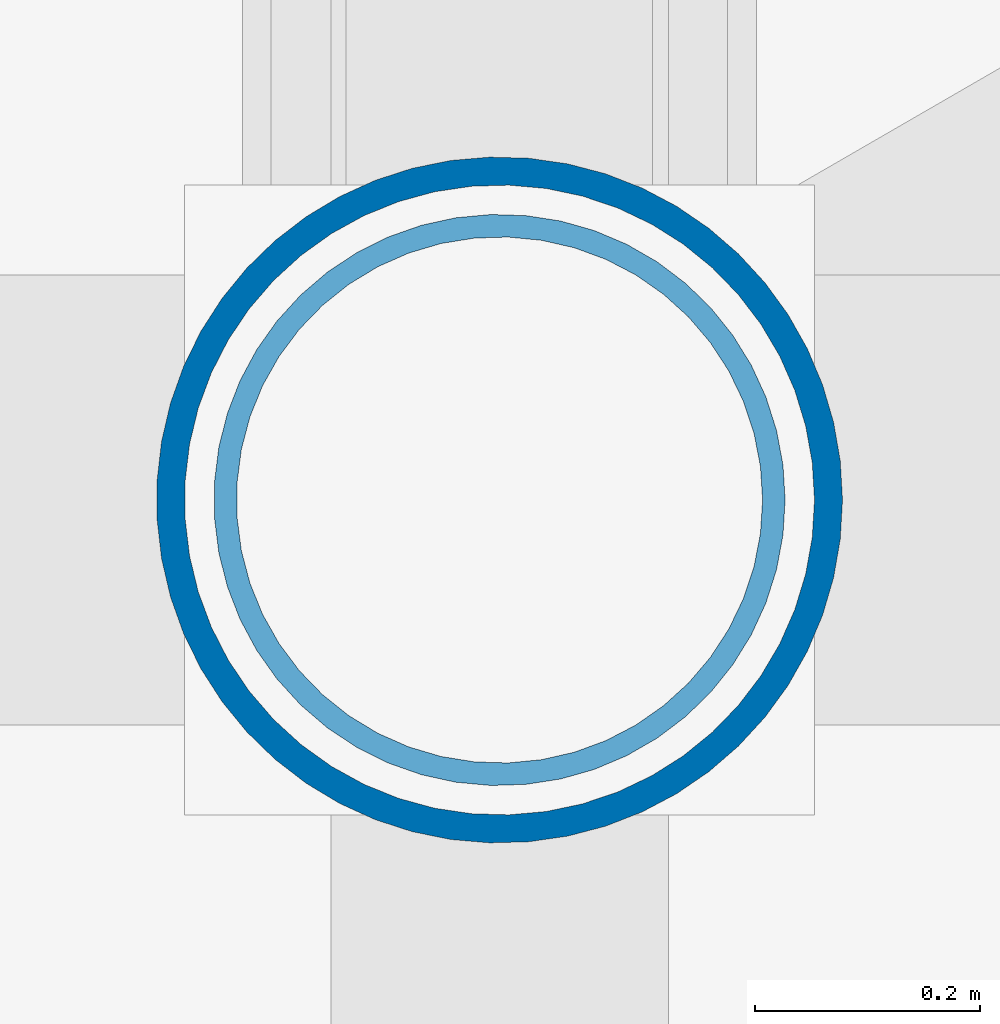
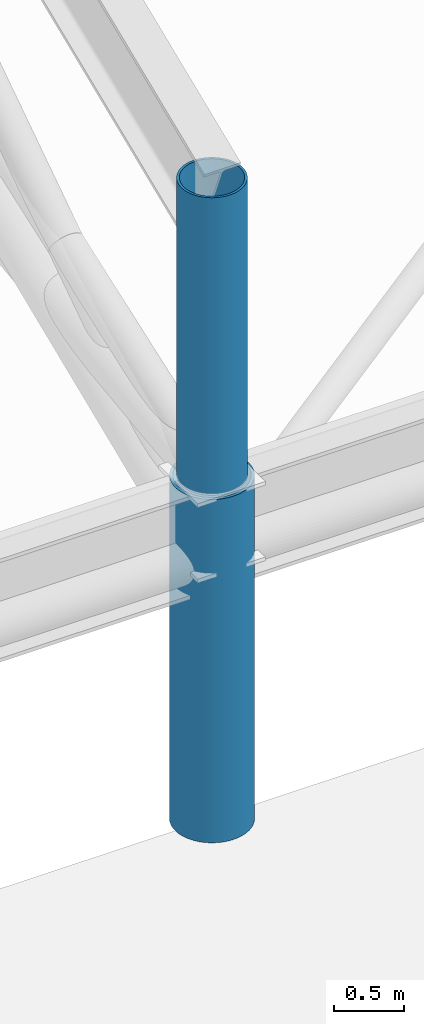
# One storey, part 2 of 135: 2 columns.
"""IFC4 building model written with IfcOpenShell, lengths in metres."""

import ifcopenshell
import ifcopenshell.guid

model = None  # the IFC model being written
_history = None  # IfcOwnerHistory: only IFC2X3 demands one
_inside = {}  # id of a spatial element -> (the spatial element, [elements in it])
_under = {}  # id of a project, library or spatial element -> (it, [spatial elements below it])
_declared = {}  # id of a project -> (the project, [libraries it declares])
_typed = {}  # id of a type object -> (the type object, [elements of that type])
_made_of = {}  # id of a material, layer set ... -> (it, [elements and type objects made of it])


def new_model(schema):
    """Start an empty IFC model of exactly this schema.

    Asked for "IFC4X3", IfcOpenShell would pick the latest addendum, in which some entities
    have other attributes; the version numbers below select the first issue.
    IFC2X3 requires an IfcOwnerHistory on every rooted entity: one is made here for all.
    """
    global model, _history
    if schema == "IFC4X3":
        model = ifcopenshell.file(schema_version=(4, 3, 0, 0))
    else:
        model = ifcopenshell.file(schema=schema)
    _inside.clear()
    _under.clear()
    _declared.clear()
    _typed.clear()
    _made_of.clear()
    _history = None
    if model.schema == "IFC2X3":
        org = make("IfcOrganization", Name="unknown")
        user = make(
            "IfcPersonAndOrganization",
            ThePerson=make("IfcPerson", FamilyName="unknown"),
            TheOrganization=org,
        )
        app = make(
            "IfcApplication",
            ApplicationDeveloper=org,
            Version="unknown",
            ApplicationFullName="unknown",
            ApplicationIdentifier="unknown",
        )
        _history = make(
            "IfcOwnerHistory",
            OwningUser=user,
            OwningApplication=app,
            ChangeAction="ADDED",
            CreationDate=0,
        )
    return model


def make(cls, **values):
    """One entity of the class cls with the attributes given. An attribute that is None is left unset."""
    return model.create_entity(
        cls, **{name: value for name, value in values.items() if value is not None}
    )


def rooted(cls, **values):
    """An entity with a GlobalId (a new one), such as an element, a storey or a relation."""
    return make(cls, GlobalId=ifcopenshell.guid.new(), OwnerHistory=_history, **values)


def si_unit(unit_type, name, prefix=None):
    """IfcSIUnit, for example si_unit("LENGTHUNIT", "METRE", prefix="MILLI")."""
    return make("IfcSIUnit", UnitType=unit_type, Prefix=prefix, Name=name)


def assignment(units):
    """IfcUnitAssignment: the units of a project."""
    return None if units is None else make("IfcUnitAssignment", Units=units)


def point(xyz):
    """IfcCartesianPoint."""
    return None if xyz is None else make("IfcCartesianPoint", Coordinates=xyz)


def direction(xyz):
    """IfcDirection."""
    return None if xyz is None else make("IfcDirection", DirectionRatios=xyz)


def frame(location, z_axis=None, x_axis=None):
    """IfcAxis2Placement3D, a coordinate frame: its origin and axes. An axis left out is left unset."""
    return make(
        "IfcAxis2Placement3D",
        Location=point(location),
        Axis=direction(z_axis),
        RefDirection=direction(x_axis),
    )


def frame_2d(location, x_axis=None):
    """IfcAxis2Placement2D, a coordinate frame in the plane: its origin and x axis."""
    return make(
        "IfcAxis2Placement2D", Location=point(location), RefDirection=direction(x_axis)
    )


def origin():
    """The frame at (0, 0, 0) with its axes left unset."""
    return frame((0.0, 0.0, 0.0))


def origin_2d():
    """The frame at (0, 0) in the plane with its x axis left unset."""
    return frame_2d((0.0, 0.0))


def place(relative_to, where):
    """IfcLocalPlacement: puts the frame where relative to a parent placement (None: the world)."""
    return make(
        "IfcLocalPlacement", PlacementRelTo=relative_to, RelativePlacement=where
    )


def context(
    kind, dimensions, precision=None, world=None, true_north=None, identifier=None
):
    """IfcGeometricRepresentationContext, for example the 3D "Model" context."""
    return make(
        "IfcGeometricRepresentationContext",
        ContextIdentifier=identifier,
        ContextType=kind,
        CoordinateSpaceDimension=dimensions,
        Precision=precision,
        WorldCoordinateSystem=world,
        TrueNorth=true_north,
    )


def subcontext(parent, identifier, kind, view, scale=None):
    """IfcGeometricRepresentationSubContext, for example "Body" below "Model"."""
    return make(
        "IfcGeometricRepresentationSubContext",
        ContextIdentifier=identifier,
        ContextType=kind,
        ParentContext=parent,
        TargetScale=scale,
        TargetView=view,
    )


def project(units=None, contexts=None):
    """IfcProject with its units and contexts."""
    return rooted(
        "IfcProject",
        Name="project",
        RepresentationContexts=contexts,
        UnitsInContext=assignment(units),
    )


def spatial(cls, under=None, at=None, **own):
    """A site, building, storey or space (cls), placed at a placement, below another one or the project."""
    s = rooted(cls, ObjectPlacement=at, **own)
    if under is not None:
        _under.setdefault(under.id(), (under, []))[1].append(s)
    return s


def profile(cls, at=None, kind="AREA", **sizes):
    """A parametric profile (cls). Its sizes go by their IFC names, for example OverallWidth=200.0."""
    return make(cls, ProfileType=kind, Position=at, **sizes)


def hollow_circle(**sizes):
    """IfcCircleHollowProfileDef."""
    return profile("IfcCircleHollowProfileDef", **sizes)


def extrude(swept, where, along, depth):
    """IfcExtrudedAreaSolid: the profile swept, set in the frame where, extruded along a direction by depth."""
    return make(
        "IfcExtrudedAreaSolid",
        SweptArea=swept,
        Position=where,
        ExtrudedDirection=direction(along),
        Depth=depth,
    )


def shape(context_of_items, identifier, shape_type, items):
    """IfcShapeRepresentation: the items that make up one representation, for example the "Body"."""
    return make(
        "IfcShapeRepresentation",
        ContextOfItems=context_of_items,
        RepresentationIdentifier=identifier,
        RepresentationType=shape_type,
        Items=items,
    )


def material(Name=None, Category=None):
    """IfcMaterial."""
    return make("IfcMaterial", Name=Name, Category=Category)


def material_profile(
    of_material, cross_section, Name=None, Category=None, Priority=None
):
    """IfcMaterialProfile: a cross section and its material."""
    return make(
        "IfcMaterialProfile",
        Name=Name,
        Material=of_material,
        Profile=cross_section,
        Priority=Priority,
        Category=Category,
    )


def profile_set(profiles, Name=None, composite=None):
    """IfcMaterialProfileSet."""
    return make(
        "IfcMaterialProfileSet",
        Name=Name,
        MaterialProfiles=profiles,
        CompositeProfile=composite,
    )


def made_of(thing, what):
    """Note that an element or type object is made of a material, layer set ...; save() writes the relation."""
    if what is not None:
        _made_of.setdefault(what.id(), (what, []))[1].append(thing)
    return thing


def type_object(cls, material=None, **own):
    """A type object (cls), such as IfcWallType, which elements share."""
    return made_of(rooted(cls, **own), material)


def element(
    cls,
    number,
    at=None,
    inside=None,
    cuts=None,
    type_object=None,
    material=None,
    context=None,
    identifier="Body",
    shape_type=None,
    held_by="IfcProductDefinitionShape",
    body=None,
    shapes=None,
    **own,
):
    """One element of the class cls, such as IfcWall. Its Tag is "e" and its number.

    at: its placement. inside: the storey or other place that contains it. cuts: it is an
    opening in that element (IfcRelVoidsElement). A single representation is given by context,
    identifier, shape_type and body (its items); several are given by shapes. held_by: the class
    of the entity that holds the representations. save() writes the other relations.
    """
    e = rooted(cls, Tag="e%d" % number, ObjectPlacement=at, **own)
    if body is not None:
        shapes = [shape(context, identifier, shape_type, body)]
    if shapes is not None:
        e.Representation = make(held_by, Representations=shapes)
    if inside is not None:
        _inside.setdefault(inside.id(), (inside, []))[1].append(e)
    if cuts is not None:
        rooted(
            "IfcRelVoidsElement", RelatingBuildingElement=cuts, RelatedOpeningElement=e
        )
    if type_object is not None:
        _typed.setdefault(type_object.id(), (type_object, []))[1].append(e)
    return made_of(e, material)


def aggregate(whole, parts):
    """IfcRelAggregates: a whole, such as a stair, and the parts it consists of."""
    return rooted("IfcRelAggregates", RelatingObject=whole, RelatedObjects=parts)


def save(model, path):
    """Write the relations noted so far, then the file.

    IfcRelAggregates (storeys below a building ...), IfcRelContainedInSpatialStructure (elements
    in a storey), IfcRelDefinesByType, IfcRelAssociatesMaterial and IfcRelDeclares: one each for
    every whole, place, type object, material and project.
    """
    for whole, parts in _under.values():
        aggregate(whole, parts)
    for where, things in _inside.values():
        rooted(
            "IfcRelContainedInSpatialStructure",
            RelatedElements=things,
            RelatingStructure=where,
        )
    for kind, things in _typed.values():
        rooted("IfcRelDefinesByType", RelatedObjects=things, RelatingType=kind)
    for what, things in _made_of.values():
        rooted("IfcRelAssociatesMaterial", RelatedObjects=things, RelatingMaterial=what)
    for by, libraries in _declared.values():
        rooted("IfcRelDeclares", RelatingContext=by, RelatedDefinitions=libraries)
    model.write(path)


model = new_model("IFC4")

# Units and contexts
model_context = context("Model", 3, precision=1e-05, world=origin(), true_north=direction((0.0, 1.0)))
body_context = subcontext(model_context, "Body", "Model", "MODEL_VIEW")
ifc_project = project(units=[si_unit("LENGTHUNIT", "METRE"), si_unit("AREAUNIT", "SQUARE_METRE"), si_unit("VOLUMEUNIT", "CUBIC_METRE"), si_unit("PLANEANGLEUNIT", "RADIAN"), si_unit("MASSUNIT", "GRAM", prefix="KILO")], contexts=[model_context])

# Site, building, storey
site_placement = place(None, origin())
site = spatial("IfcSite", under=ifc_project, at=site_placement, CompositionType="ELEMENT")
building_placement = place(site_placement, origin())
building = spatial("IfcBuilding", under=site, at=building_placement, Name="Brelvane Convention Centre", CompositionType="ELEMENT")
storey_placement = place(building_placement, frame((0.0, 0.0, 15.0)))
storey = spatial("IfcBuildingStorey", under=building, at=storey_placement, Name="L03", CompositionType="ELEMENT", Elevation=15.0)

# Columns
ifc_material_1 = material(Name="Steel E450 (450 MPa)", Category="steel")
ifc_material_profile_1 = material_profile(ifc_material_1, hollow_circle(Radius=0.304931640625, WallThickness=0.02490234375, at=origin_2d()), Name="CHS 610.0x25.0")
ifc_profile_set_1 = profile_set([ifc_material_profile_1], Name="Steel E450 (450 MPa)")
column_type_1 = type_object("IfcColumnType", Name="Steel Column C-ST1 (CHS 610.0x25.0)", PredefinedType="COLUMN", material=ifc_profile_set_1)
column_1_placement = place(storey_placement, frame((61.199951171875, 28.800048828125, 0.0), z_axis=(0.0, 0.0, 1.0), x_axis=(1.0, 0.0, 0.0)))
element("IfcColumn", 1, at=column_1_placement, inside=storey, type_object=column_type_1, Name="Column 7-D (L03)", PredefinedType="COLUMN", context=body_context, shape_type="SweptSolid", body=[
    extrude(hollow_circle(Radius=0.304931640625, WallThickness=0.02490234375, at=origin_2d()), origin(), (0.0, 0.0, 1.0), 3.0),
])
ifc_material_2 = material(Name="Steel E450 (450 MPa)", Category="steel")
ifc_material_profile_2 = material_profile(ifc_material_2, hollow_circle(Radius=0.25390625, WallThickness=0.02001953125, at=origin_2d()), Name="CHS 508.0x20.0")
ifc_profile_set_2 = profile_set([ifc_material_profile_2], Name="Steel E450 (450 MPa)")
column_type_2 = type_object("IfcColumnType", Name="Steel Column C-ST2 (CHS 508.0x20.0)", PredefinedType="COLUMN", material=ifc_profile_set_2)
column_2_placement = place(storey_placement, frame((61.199951171875, 28.800048828125, 3.0), z_axis=(0.0, 0.0, 1.0), x_axis=(1.0, 0.0, 0.0)))
element("IfcColumn", 2, at=column_2_placement, inside=storey, type_object=column_type_2, Name="EXO_EXH Exoskeletal Eaves Mast 4-S", PredefinedType="COLUMN", context=body_context, shape_type="SweptSolid", body=[
    extrude(hollow_circle(Radius=0.25390625, WallThickness=0.02001953125, at=origin_2d()), origin(), (0.0, 0.0, 1.0), 2.60009765625),
])

save(model, "model.ifc")
